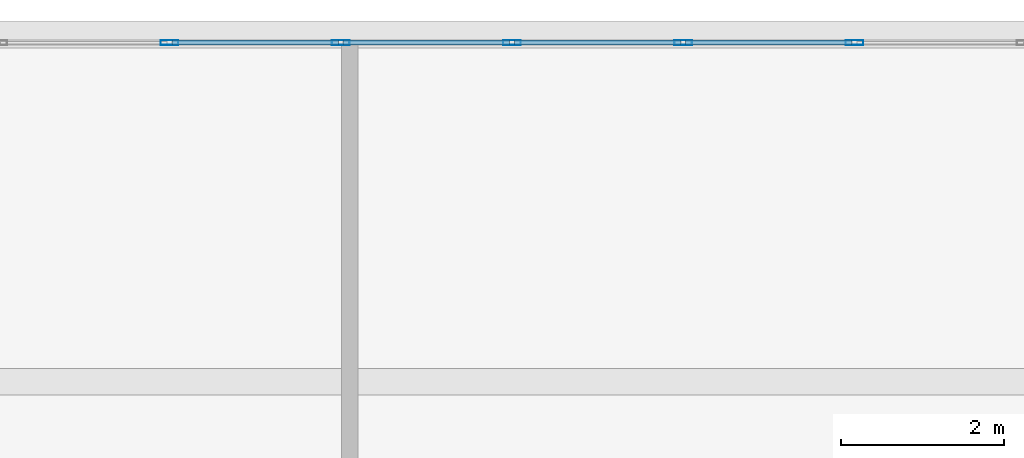
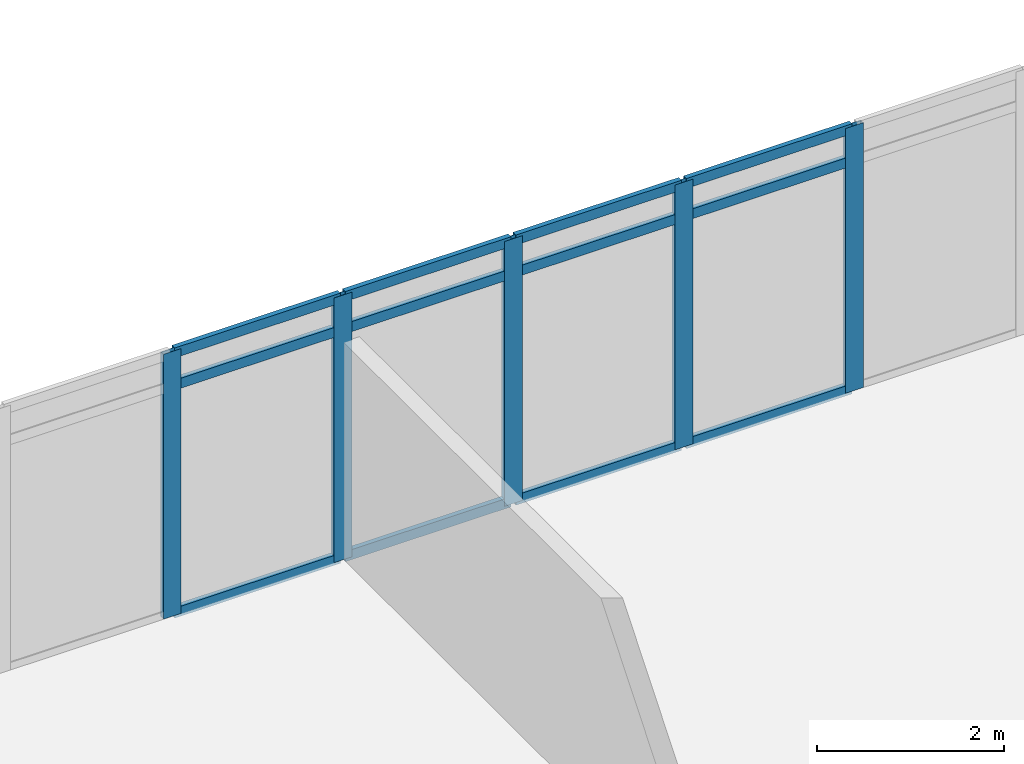
# One storey, part 17 of 28: 17 members, 1 element without a shape of its own.
"""IFC4 building model written with IfcOpenShell, lengths in metres."""

from ifc_helpers import new_model, si_unit, direction, frame, origin, origin_2d, place, context, subcontext, project, spatial, hollow_rectangle, extrude, material, material_profile, profile_set, type_object, element, aggregate, save


model = new_model("IFC4")

# Units and contexts
model_context = context("Model", 3, precision=1e-05, world=origin(), true_north=direction((0.0, 1.0)))
body_context = subcontext(model_context, "Body", "Model", "MODEL_VIEW")
ifc_project = project(units=[si_unit("LENGTHUNIT", "METRE"), si_unit("AREAUNIT", "SQUARE_METRE"), si_unit("VOLUMEUNIT", "CUBIC_METRE"), si_unit("PLANEANGLEUNIT", "RADIAN"), si_unit("MASSUNIT", "GRAM", prefix="KILO")], contexts=[model_context])

# Site, building, storey
site_placement = place(None, origin())
site = spatial("IfcSite", under=ifc_project, at=site_placement, CompositionType="ELEMENT")
building_placement = place(site_placement, origin())
building = spatial("IfcBuilding", under=site, at=building_placement, Name="Ostrander Bayou Hotel Tower", CompositionType="ELEMENT")
storey_placement = place(building_placement, frame((0.0, 0.0, 76.75)))
storey = spatial("IfcBuildingStorey", under=building, at=storey_placement, Name="L19", CompositionType="ELEMENT", Elevation=76.75)

# Curtain wall, members
ifc_material_1 = material(Name="Aluminium and clear glass", Category="aluminium")
curtain_wall_type = type_object("IfcCurtainWallType", Name="CW-BAR glazed wall", PredefinedType="NOTDEFINED", material=ifc_material_1)
curtain_wall_placement = place(storey_placement, origin())
curtain_wall = element("IfcCurtainWall", 1, at=curtain_wall_placement, inside=storey, type_object=curtain_wall_type, Name="CW-BAR L19:SB1N:T", PredefinedType="NOTDEFINED")
ifc_material_2 = material(Name="Aluminium", Category="aluminium")
ifc_material_profile_1 = material_profile(ifc_material_2, hollow_rectangle(XDim=0.06005859375, YDim=0.219970703125, WallThickness=0.00390625, at=origin_2d()))
ifc_profile_set_1 = profile_set([ifc_material_profile_1], Name="Aluminium")
member_type_1 = type_object("IfcMemberType", Name="CW-BR mullion 60 x 220 mm", PredefinedType="MULLION", material=ifc_profile_set_1)
member_1_placement = place(storey_placement, frame((0.0, 30.88623046875, 0.0), z_axis=(0.0, 0.0, 1.0), x_axis=(0.0, 1.0, 0.0)))
member_1 = element("IfcMember", 2, at=member_1_placement, type_object=member_type_1, Name="CW-BAR mullion 8", PredefinedType="MULLION", context=body_context, shape_type="SweptSolid", body=[
    extrude(hollow_rectangle(XDim=0.06005859375, YDim=0.219970703125, WallThickness=0.00390625, at=origin_2d()), origin(), (0.0, 0.0, 1.0), 3.449951171875),
])
member_2_placement = place(storey_placement, frame((2.101806640625, 30.88623046875, 0.0), z_axis=(0.0, 0.0, 1.0), x_axis=(0.0, 1.0, 0.0)))
member_2 = element("IfcMember", 3, at=member_2_placement, type_object=member_type_1, Name="CW-BAR mullion 9", PredefinedType="MULLION", context=body_context, shape_type="SweptSolid", body=[
    extrude(hollow_rectangle(XDim=0.06005859375, YDim=0.219970703125, WallThickness=0.00390625, at=origin_2d()), origin(), (0.0, 0.0, 1.0), 3.449951171875),
])
member_3_placement = place(storey_placement, frame((4.203369140625, 30.88623046875, 0.0), z_axis=(0.0, 0.0, 1.0), x_axis=(0.0, 1.0, 0.0)))
member_3 = element("IfcMember", 4, at=member_3_placement, type_object=member_type_1, Name="CW-BAR mullion 10", PredefinedType="MULLION", context=body_context, shape_type="SweptSolid", body=[
    extrude(hollow_rectangle(XDim=0.06005859375, YDim=0.219970703125, WallThickness=0.00390625, at=origin_2d()), origin(), (0.0, 0.0, 1.0), 3.449951171875),
])
member_4_placement = place(storey_placement, frame((6.30517578125, 30.88623046875, 0.0), z_axis=(0.0, 0.0, 1.0), x_axis=(0.0, 1.0, 0.0)))
member_4 = element("IfcMember", 5, at=member_4_placement, type_object=member_type_1, Name="CW-BAR mullion 11", PredefinedType="MULLION", context=body_context, shape_type="SweptSolid", body=[
    extrude(hollow_rectangle(XDim=0.06005859375, YDim=0.219970703125, WallThickness=0.00390625, at=origin_2d()), origin(), (0.0, 0.0, 1.0), 3.449951171875),
])
member_5_placement = place(storey_placement, frame((8.406982421875, 30.88623046875, 0.0), z_axis=(0.0, 0.0, 1.0), x_axis=(0.0, 1.0, 0.0)))
member_5 = element("IfcMember", 6, at=member_5_placement, type_object=member_type_1, Name="CW-BAR mullion 12", PredefinedType="MULLION", context=body_context, shape_type="SweptSolid", body=[
    extrude(hollow_rectangle(XDim=0.06005859375, YDim=0.219970703125, WallThickness=0.00390625, at=origin_2d()), origin(), (0.0, 0.0, 1.0), 3.449951171875),
])
ifc_material_3 = material(Name="Aluminium", Category="aluminium")
ifc_material_profile_2 = material_profile(ifc_material_3, hollow_rectangle(XDim=0.06005859375, YDim=0.1298828125, WallThickness=0.00390625, at=origin_2d()))
ifc_profile_set_2 = profile_set([ifc_material_profile_2], Name="Aluminium")
member_type_2 = type_object("IfcMemberType", Name="CW-BR transom 60 x 130 mm", PredefinedType="USERDEFINED", material=ifc_profile_set_2)
member_6_placement = place(storey_placement, frame((0.030029296875, 30.88623046875, 0.030029296875), z_axis=(1.0, 0.0, 0.0), x_axis=(0.0, 1.0, 0.0)))
member_6 = element("IfcMember", 7, at=member_6_placement, type_object=member_type_2, Name="CW-BAR transom 8.1", ObjectType="TRANSOM", PredefinedType="USERDEFINED", context=body_context, shape_type="SweptSolid", body=[
    extrude(hollow_rectangle(XDim=0.06005859375, YDim=0.1298828125, WallThickness=0.00390625, at=origin_2d()), origin(), (0.0, 0.0, 1.0), 2.041748046875),
])
member_7_placement = place(storey_placement, frame((0.030029296875, 30.88623046875, 3.0), z_axis=(1.0, 0.0, 0.0), x_axis=(0.0, 1.0, 0.0)))
member_7 = element("IfcMember", 8, at=member_7_placement, type_object=member_type_2, Name="CW-BAR transom 8.2", ObjectType="TRANSOM", PredefinedType="USERDEFINED", context=body_context, shape_type="SweptSolid", body=[
    extrude(hollow_rectangle(XDim=0.06005859375, YDim=0.1298828125, WallThickness=0.00390625, at=origin_2d()), origin(), (0.0, 0.0, 1.0), 2.041748046875),
])
member_8_placement = place(storey_placement, frame((0.030029296875, 30.88623046875, 3.419921875), z_axis=(1.0, 0.0, 0.0), x_axis=(0.0, 1.0, 0.0)))
member_8 = element("IfcMember", 9, at=member_8_placement, type_object=member_type_2, Name="CW-BAR transom 8.3", ObjectType="TRANSOM", PredefinedType="USERDEFINED", context=body_context, shape_type="SweptSolid", body=[
    extrude(hollow_rectangle(XDim=0.06005859375, YDim=0.1298828125, WallThickness=0.00390625, at=origin_2d()), origin(), (0.0, 0.0, 1.0), 2.041748046875),
])
member_9_placement = place(storey_placement, frame((2.1318359375, 30.88623046875, 0.030029296875), z_axis=(1.0, 0.0, 0.0), x_axis=(0.0, 1.0, 0.0)))
member_9 = element("IfcMember", 10, at=member_9_placement, type_object=member_type_2, Name="CW-BAR transom 9.1", ObjectType="TRANSOM", PredefinedType="USERDEFINED", context=body_context, shape_type="SweptSolid", body=[
    extrude(hollow_rectangle(XDim=0.06005859375, YDim=0.1298828125, WallThickness=0.00390625, at=origin_2d()), origin(), (0.0, 0.0, 1.0), 2.041748046875),
])
member_10_placement = place(storey_placement, frame((2.1318359375, 30.88623046875, 3.0), z_axis=(1.0, 0.0, 0.0), x_axis=(0.0, 1.0, 0.0)))
member_10 = element("IfcMember", 11, at=member_10_placement, type_object=member_type_2, Name="CW-BAR transom 9.2", ObjectType="TRANSOM", PredefinedType="USERDEFINED", context=body_context, shape_type="SweptSolid", body=[
    extrude(hollow_rectangle(XDim=0.06005859375, YDim=0.1298828125, WallThickness=0.00390625, at=origin_2d()), origin(), (0.0, 0.0, 1.0), 2.041748046875),
])
member_11_placement = place(storey_placement, frame((2.1318359375, 30.88623046875, 3.419921875), z_axis=(1.0, 0.0, 0.0), x_axis=(0.0, 1.0, 0.0)))
member_11 = element("IfcMember", 12, at=member_11_placement, type_object=member_type_2, Name="CW-BAR transom 9.3", ObjectType="TRANSOM", PredefinedType="USERDEFINED", context=body_context, shape_type="SweptSolid", body=[
    extrude(hollow_rectangle(XDim=0.06005859375, YDim=0.1298828125, WallThickness=0.00390625, at=origin_2d()), origin(), (0.0, 0.0, 1.0), 2.041748046875),
])
member_12_placement = place(storey_placement, frame((4.2333984375, 30.88623046875, 0.030029296875), z_axis=(1.0, 0.0, 0.0), x_axis=(0.0, 1.0, 0.0)))
member_12 = element("IfcMember", 13, at=member_12_placement, type_object=member_type_2, Name="CW-BAR transom 10.1", ObjectType="TRANSOM", PredefinedType="USERDEFINED", context=body_context, shape_type="SweptSolid", body=[
    extrude(hollow_rectangle(XDim=0.06005859375, YDim=0.1298828125, WallThickness=0.00390625, at=origin_2d()), origin(), (0.0, 0.0, 1.0), 2.041748046875),
])
member_13_placement = place(storey_placement, frame((4.2333984375, 30.88623046875, 3.0), z_axis=(1.0, 0.0, 0.0), x_axis=(0.0, 1.0, 0.0)))
member_13 = element("IfcMember", 14, at=member_13_placement, type_object=member_type_2, Name="CW-BAR transom 10.2", ObjectType="TRANSOM", PredefinedType="USERDEFINED", context=body_context, shape_type="SweptSolid", body=[
    extrude(hollow_rectangle(XDim=0.06005859375, YDim=0.1298828125, WallThickness=0.00390625, at=origin_2d()), origin(), (0.0, 0.0, 1.0), 2.041748046875),
])
member_14_placement = place(storey_placement, frame((4.2333984375, 30.88623046875, 3.419921875), z_axis=(1.0, 0.0, 0.0), x_axis=(0.0, 1.0, 0.0)))
member_14 = element("IfcMember", 15, at=member_14_placement, type_object=member_type_2, Name="CW-BAR transom 10.3", ObjectType="TRANSOM", PredefinedType="USERDEFINED", context=body_context, shape_type="SweptSolid", body=[
    extrude(hollow_rectangle(XDim=0.06005859375, YDim=0.1298828125, WallThickness=0.00390625, at=origin_2d()), origin(), (0.0, 0.0, 1.0), 2.041748046875),
])
member_15_placement = place(storey_placement, frame((6.335205078125, 30.88623046875, 0.030029296875), z_axis=(1.0, 0.0, 0.0), x_axis=(0.0, 1.0, 0.0)))
member_15 = element("IfcMember", 16, at=member_15_placement, type_object=member_type_2, Name="CW-BAR transom 11.1", ObjectType="TRANSOM", PredefinedType="USERDEFINED", context=body_context, shape_type="SweptSolid", body=[
    extrude(hollow_rectangle(XDim=0.06005859375, YDim=0.1298828125, WallThickness=0.00390625, at=origin_2d()), origin(), (0.0, 0.0, 1.0), 2.041748046875),
])
member_16_placement = place(storey_placement, frame((6.335205078125, 30.88623046875, 3.0), z_axis=(1.0, 0.0, 0.0), x_axis=(0.0, 1.0, 0.0)))
member_16 = element("IfcMember", 17, at=member_16_placement, type_object=member_type_2, Name="CW-BAR transom 11.2", ObjectType="TRANSOM", PredefinedType="USERDEFINED", context=body_context, shape_type="SweptSolid", body=[
    extrude(hollow_rectangle(XDim=0.06005859375, YDim=0.1298828125, WallThickness=0.00390625, at=origin_2d()), origin(), (0.0, 0.0, 1.0), 2.041748046875),
])
member_17_placement = place(storey_placement, frame((6.335205078125, 30.88623046875, 3.419921875), z_axis=(1.0, 0.0, 0.0), x_axis=(0.0, 1.0, 0.0)))
member_17 = element("IfcMember", 18, at=member_17_placement, type_object=member_type_2, Name="CW-BAR transom 11.3", ObjectType="TRANSOM", PredefinedType="USERDEFINED", context=body_context, shape_type="SweptSolid", body=[
    extrude(hollow_rectangle(XDim=0.06005859375, YDim=0.1298828125, WallThickness=0.00390625, at=origin_2d()), origin(), (0.0, 0.0, 1.0), 2.041748046875),
])
aggregate(curtain_wall, [member_1, member_2, member_3, member_4, member_5, member_6, member_7, member_8, member_9, member_10, member_11, member_12, member_13, member_14, member_15, member_16, member_17])

save(model, "model.ifc")
